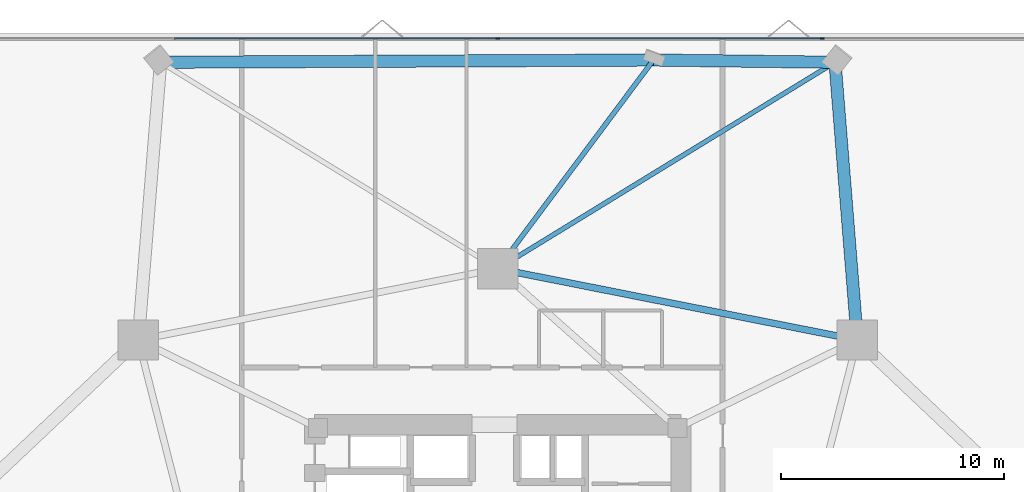
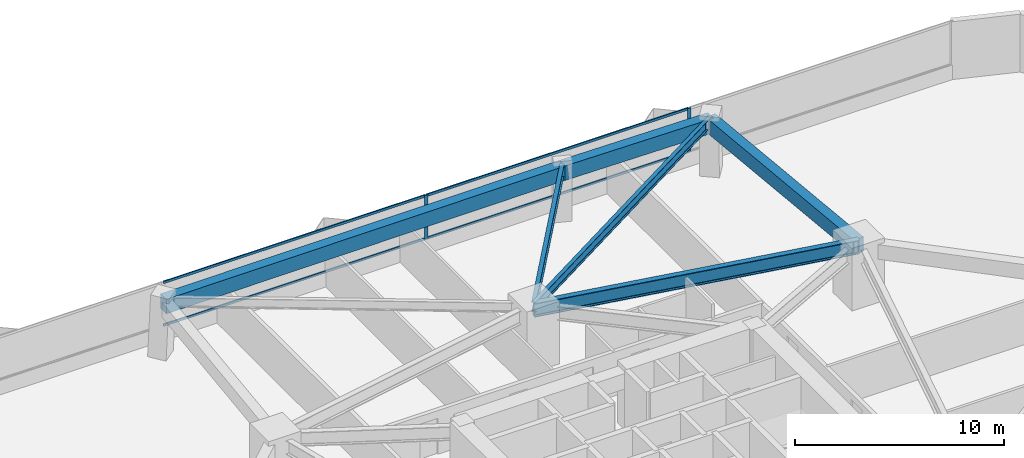
# One storey, part 12 of 21: 6 beams, 6 members, 1 element without a shape of its own.
"""IFC4 building model written with IfcOpenShell, lengths in metres."""

from ifc_helpers import new_model, si_unit, direction, frame, origin, origin_2d, place, context, subcontext, project, spatial, rectangle, i_section, extrude, material, layer, layer_set, material_profile, profile_set, type_object, element, aggregate, save


model = new_model("IFC4")

# Units and contexts
model_context = context("Model", 3, precision=1e-05, world=origin(), true_north=direction((0.0, 1.0)))
body_context = subcontext(model_context, "Body", "Model", "MODEL_VIEW")
ifc_project = project(units=[si_unit("LENGTHUNIT", "METRE"), si_unit("AREAUNIT", "SQUARE_METRE"), si_unit("VOLUMEUNIT", "CUBIC_METRE"), si_unit("PLANEANGLEUNIT", "RADIAN"), si_unit("MASSUNIT", "GRAM", prefix="KILO")], contexts=[model_context])

# Site, building, storey
site_placement = place(None, origin())
site = spatial("IfcSite", under=ifc_project, at=site_placement, CompositionType="ELEMENT")
building_placement = place(site_placement, origin())
building = spatial("IfcBuilding", under=site, at=building_placement, Name="Talyreon Biosciences Tower", CompositionType="ELEMENT")
storey_placement = place(building_placement, frame((0.0, 0.0, 33.75)))
storey = spatial("IfcBuildingStorey", under=building, at=storey_placement, Name="L08", CompositionType="ELEMENT", Elevation=33.75)

# Curtain wall, members
ifc_material_1 = material(Name="Thermally broken aluminium and low-E glazing", Category="aluminium")
ifc_layer = layer(ifc_material_1, 0.195068359375)
ifc_layer_set = layer_set([ifc_layer], Name="Thermally broken aluminium and low-E glazing")
curtain_wall_type = type_object("IfcCurtainWallType", Name="CurtainWall_Zone1WetLab", PredefinedType="NOTDEFINED", material=ifc_layer_set)
curtain_wall_placement = place(storey_placement, origin())
curtain_wall = element("IfcCurtainWall", 1, at=curtain_wall_placement, inside=storey, type_object=curtain_wall_type, Name="L08 Unitised Curtain Wall FCW-L08-04", PredefinedType="NOTDEFINED")
ifc_material_2 = material(Name="Anodised thermally broken aluminium", Category="aluminium")
ifc_material_profile_1 = material_profile(ifc_material_2, rectangle(XDim=0.06494140625, YDim=0.179931640625, at=origin_2d()), Name="ALUM MULLION 65x180")
ifc_profile_set_1 = profile_set([ifc_material_profile_1], Name="Anodised thermally broken aluminium")
member_type_1 = type_object("IfcMemberType", Name="CWMullion_65x180", PredefinedType="MULLION", material=ifc_profile_set_1)
member_1_placement = place(storey_placement, frame((66.0, 92.107421875, 0.81005859375), z_axis=(0.0, 0.0, 1.0), x_axis=(0.0, 1.0, 0.0)))
member_1 = element("IfcMember", 2, at=member_1_placement, type_object=member_type_1, Name="CW2 mullion 3", PredefinedType="MULLION", context=body_context, shape_type="SweptSolid", body=[
    extrude(rectangle(XDim=0.06494140625, YDim=0.179931640625, at=origin_2d()), origin(), (0.0, 0.0, 1.0), 2.56494140625),
])
member_2_placement = place(storey_placement, frame((80.52294921875, 92.107421875, 0.81005859375), z_axis=(0.0, 0.0, 1.0), x_axis=(0.0, 1.0, 0.0)))
member_2 = element("IfcMember", 3, at=member_2_placement, type_object=member_type_1, Name="CW2 mullion 4", PredefinedType="MULLION", context=body_context, shape_type="SweptSolid", body=[
    extrude(rectangle(XDim=0.06494140625, YDim=0.179931640625, at=origin_2d()), origin(), (0.0, 0.0, 1.0), 2.56494140625),
])
ifc_material_profile_2 = material_profile(ifc_material_2, rectangle(XDim=0.06494140625, YDim=0.139892578125, at=origin_2d()), Name="ALUM TRANSOM 65x140")
ifc_profile_set_2 = profile_set([ifc_material_profile_2], Name="Anodised thermally broken aluminium")
member_type_2 = type_object("IfcMemberType", Name="CWTransom_65x140", PredefinedType="USERDEFINED", material=ifc_profile_set_2)
member_3_placement = place(storey_placement, frame((51.509521484375, 92.107421875, 0.842529296875), z_axis=(1.0, 0.0, 0.0), x_axis=(0.0, 1.0, 0.0)))
member_3 = element("IfcMember", 4, at=member_3_placement, type_object=member_type_2, Name="CW2 transom 2.1", ObjectType="TRANSOM", PredefinedType="USERDEFINED", context=body_context, shape_type="SweptSolid", body=[
    extrude(rectangle(XDim=0.06494140625, YDim=0.139892578125, at=origin_2d()), origin(), (0.0, 0.0, 1.0), 14.4580078125),
])
member_4_placement = place(storey_placement, frame((51.509521484375, 92.107421875, 3.342529296875), z_axis=(1.0, 0.0, 0.0), x_axis=(0.0, 1.0, 0.0)))
member_4 = element("IfcMember", 5, at=member_4_placement, type_object=member_type_2, Name="CW2 transom 2.2", ObjectType="TRANSOM", PredefinedType="USERDEFINED", context=body_context, shape_type="SweptSolid", body=[
    extrude(rectangle(XDim=0.06494140625, YDim=0.139892578125, at=origin_2d()), origin(), (0.0, 0.0, 1.0), 14.4580078125),
])
member_5_placement = place(storey_placement, frame((66.032470703125, 92.107421875, 0.842529296875), z_axis=(1.0, 0.0, 0.0), x_axis=(0.0, 1.0, 0.0)))
member_5 = element("IfcMember", 6, at=member_5_placement, type_object=member_type_2, Name="CW2 transom 3.1", ObjectType="TRANSOM", PredefinedType="USERDEFINED", context=body_context, shape_type="SweptSolid", body=[
    extrude(rectangle(XDim=0.06494140625, YDim=0.139892578125, at=origin_2d()), origin(), (0.0, 0.0, 1.0), 14.4580078125),
])
member_6_placement = place(storey_placement, frame((66.032470703125, 92.107421875, 3.342529296875), z_axis=(1.0, 0.0, 0.0), x_axis=(0.0, 1.0, 0.0)))
member_6 = element("IfcMember", 7, at=member_6_placement, type_object=member_type_2, Name="CW2 transom 3.2", ObjectType="TRANSOM", PredefinedType="USERDEFINED", context=body_context, shape_type="SweptSolid", body=[
    extrude(rectangle(XDim=0.06494140625, YDim=0.139892578125, at=origin_2d()), origin(), (0.0, 0.0, 1.0), 14.4580078125),
])
aggregate(curtain_wall, [member_1, member_2, member_3, member_4, member_5, member_6])

# Beams
ifc_material_3 = material(Name="Precast concrete C45/55", Category="concrete")
ifc_material_profile_3 = material_profile(ifc_material_3, rectangle(XDim=0.550048828125, YDim=0.85009765625, at=origin_2d()), Name="RCB 550x850")
ifc_profile_set_3 = profile_set([ifc_material_profile_3], Name="Precast concrete C45/55")
beam_type_1 = type_object("IfcBeamType", Name="ExpressedSpandrel_550x850", PredefinedType="SPANDREL", material=ifc_profile_set_3)
beam_1_placement = place(storey_placement, frame((82.102294921875, 78.5986328125, 2.949951171875), z_axis=(-0.079997936686, 0.996795029144, 0.0), x_axis=(-0.996795029144, -0.079997936686, 0.0)))
element("IfcBeam", 8, at=beam_1_placement, inside=storey, type_object=beam_type_1, Name="L08 Expressed Horizontal Concrete Spandrel 05", PredefinedType="SPANDREL", context=body_context, shape_type="SweptSolid", body=[
    extrude(rectangle(XDim=0.550048828125, YDim=0.85009765625, at=origin_2d()), origin(), (0.0, 0.0, 1.0), 12.47900390625),
])
beam_2_placement = place(storey_placement, frame((81.10400390625, 91.03759765625, 2.949951171875), z_axis=(-0.999924635624, 0.012276932516, 0.0), x_axis=(-0.012276932516, -0.999924635624, 0.0)))
element("IfcBeam", 9, at=beam_2_placement, inside=storey, type_object=beam_type_1, Name="L08 Expressed Horizontal Concrete Spandrel 06", PredefinedType="SPANDREL", context=body_context, shape_type="SweptSolid", body=[
    extrude(rectangle(XDim=0.550048828125, YDim=0.85009765625, at=origin_2d()), origin(), (0.0, 0.0, 1.0), 8.133544921875),
])
beam_3_placement = place(storey_placement, frame((72.97119140625, 91.137451171875, 2.949951171875), z_axis=(-0.999989769875, -0.004523289271, 0.0), x_axis=(0.004523289271, -0.999989769875, 0.0)))
element("IfcBeam", 10, at=beam_3_placement, inside=storey, type_object=beam_type_1, Name="L08 Expressed Horizontal Concrete Spandrel 07", PredefinedType="SPANDREL", context=body_context, shape_type="SweptSolid", body=[
    extrude(rectangle(XDim=0.550048828125, YDim=0.85009765625, at=origin_2d()), origin(), (0.0, 0.0, 1.0), 22.075439453125),
])
ifc_material_4 = material(Name="Steel SM355", Category="steel")
ifc_material_profile_4 = material_profile(ifc_material_4, i_section(OverallWidth=0.300048828125, OverallDepth=0.800048828125, WebThickness=0.017578125, FlangeThickness=0.032958984375, FilletRadius=0.030029296875, at=origin_2d()), Name="HE800B")
ifc_profile_set_4 = profile_set([ifc_material_profile_4], Name="Steel SM355")
beam_type_2 = type_object("IfcBeamType", Name="SteelGirder_HE800B", PredefinedType="BEAM", material=ifc_profile_set_4)
beam_4_placement = place(storey_placement, frame((82.102294921875, 78.5986328125, 2.97509765625), z_axis=(-0.980933730698, 0.194342522311, 0.0), x_axis=(-0.194342522311, -0.980933730698, 0.0)))
element("IfcBeam", 11, at=beam_4_placement, inside=storey, type_object=beam_type_2, Name="L08 Mega-Ring Girder 3", PredefinedType="BEAM", context=body_context, shape_type="SweptSolid", body=[
    extrude(i_section(OverallWidth=0.300048828125, OverallDepth=0.800048828125, WebThickness=0.017578125, FlangeThickness=0.032958984375, FilletRadius=0.030029296875, at=origin_2d()), origin(), (0.0, 0.0, 1.0), 16.415283203125),
])
ifc_material_profile_5 = material_profile(ifc_material_4, i_section(OverallWidth=0.2099609375, OverallDepth=0.550048828125, WebThickness=0.010986328125, FlangeThickness=0.01708984375, FilletRadius=0.02392578125, at=origin_2d()), Name="IPE550")
ifc_profile_set_5 = profile_set([ifc_material_profile_5], Name="Steel SM355")
beam_type_3 = type_object("IfcBeamType", Name="SteelJoist_IPE550", PredefinedType="JOIST", material=ifc_profile_set_5)
beam_5_placement = place(storey_placement, frame((66.0, 81.788818359375, 3.10009765625), z_axis=(0.852815346946, 0.522212585077, 0.0), x_axis=(-0.522212585077, 0.852815346946, 0.0)))
element("IfcBeam", 12, at=beam_5_placement, inside=storey, type_object=beam_type_3, Name="L08 Radial Composite Floor Joist PC-N1", PredefinedType="JOIST", context=body_context, shape_type="SweptSolid", body=[
    extrude(i_section(OverallWidth=0.2099609375, OverallDepth=0.550048828125, WebThickness=0.010986328125, FlangeThickness=0.01708984375, FilletRadius=0.02392578125, at=origin_2d()), origin(), (0.0, 0.0, 1.0), 17.710693359375),
])
ifc_material_profile_6 = material_profile(ifc_material_4, i_section(OverallWidth=0.219970703125, OverallDepth=0.60009765625, WebThickness=0.011962890625, FlangeThickness=0.01904296875, FilletRadius=0.02392578125, at=origin_2d()), Name="IPE600")
ifc_profile_set_6 = profile_set([ifc_material_profile_6], Name="Steel SM355")
beam_type_4 = type_object("IfcBeamType", Name="SteelJoist_IPE600", PredefinedType="JOIST", material=ifc_profile_set_6)
beam_6_placement = place(storey_placement, frame((66.0, 81.788818359375, 3.074951171875), z_axis=(0.597786939881, 0.801655022131, 0.0), x_axis=(-0.801655022131, 0.597786939881, 0.0)))
element("IfcBeam", 13, at=beam_6_placement, inside=storey, type_object=beam_type_4, Name="L08 Radial Composite Floor Joist PL-N", PredefinedType="JOIST", context=body_context, shape_type="SweptSolid", body=[
    extrude(i_section(OverallWidth=0.219970703125, OverallDepth=0.60009765625, WebThickness=0.011962890625, FlangeThickness=0.01904296875, FilletRadius=0.02392578125, at=origin_2d()), origin(), (0.0, 0.0, 1.0), 11.66162109375),
])

save(model, "model.ifc")
